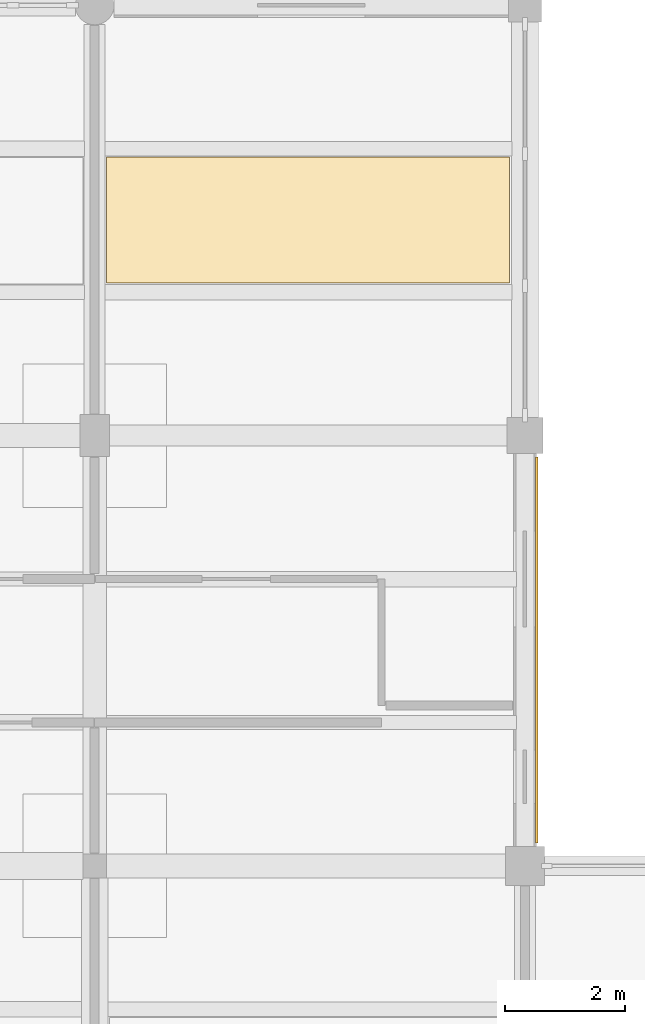
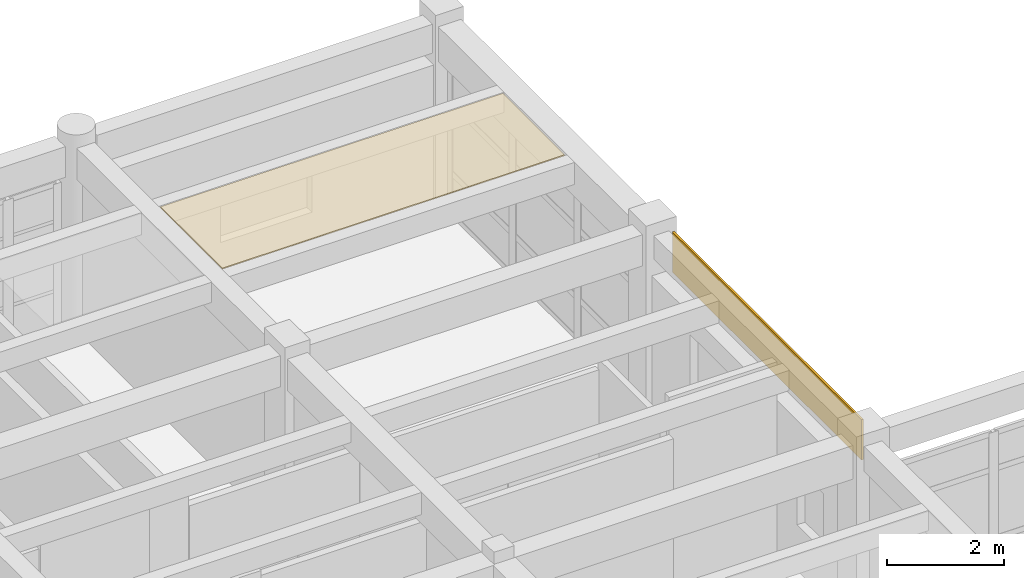
# One storey, part 100 of 100: 2 coverings.
"""IFC4 building model written with IfcOpenShell, lengths in metres."""

from ifc_helpers import new_model, si_unit, direction, frame, origin, origin_2d, place, context, subcontext, project, spatial, polyline, rectangle, outline, extrude, material, layer, layer_set, type_object, element, save


model = new_model("IFC4")

# Units and contexts
model_context = context("Model", 3, precision=1e-05, world=origin(), true_north=direction((0.0, 1.0)))
body_context = subcontext(model_context, "Body", "Model", "MODEL_VIEW")
ifc_project = project(units=[si_unit("LENGTHUNIT", "METRE"), si_unit("AREAUNIT", "SQUARE_METRE"), si_unit("VOLUMEUNIT", "CUBIC_METRE"), si_unit("PLANEANGLEUNIT", "RADIAN"), si_unit("MASSUNIT", "GRAM", prefix="KILO")], contexts=[model_context])

# Site, building, storey
site_placement = place(None, origin())
site = spatial("IfcSite", under=ifc_project, at=site_placement, CompositionType="ELEMENT")
building_placement = place(site_placement, origin())
building = spatial("IfcBuilding", under=site, at=building_placement, Name="Steenspoor Specialist Clinic", CompositionType="ELEMENT")
storey_placement = place(building_placement, frame((0.0, 0.0, 9.0)))
storey = spatial("IfcBuildingStorey", under=building, at=storey_placement, Name="L02", CompositionType="ELEMENT", Elevation=9.0)

# Coverings
ifc_material_1 = material(Name="Washable acoustic mineral ceiling board", Category="gypsum")
ifc_layer_1 = layer(ifc_material_1, 0.02490234375)
ifc_layer_set_1 = layer_set([ifc_layer_1], Name="Washable acoustic mineral ceiling board")
covering_type_1 = type_object("IfcCoveringType", Name="COV-CEIL-ACOUSTIC", PredefinedType="CEILING", material=ifc_layer_set_1)
covering_1_placement = place(storey_placement, frame((0.0, 0.0, 3.925048828125)))
element("IfcCovering", 1, at=covering_1_placement, inside=storey, type_object=covering_type_1, Name="Acoustic Clinical Ceiling 164", PredefinedType="CEILING", context=body_context, shape_type="SweptSolid", body=[
    extrude(outline(polyline([(146.5400390625, 103.699951171875), (139.794921875, 103.699951171875), (139.794921875, 105.81005859375), (146.5400390625, 105.81005859375), (146.5400390625, 103.699951171875)])), origin(), (0.0, 0.0, 1.0), 0.02490234375),
])
ifc_material_2 = material(Name="Glazed ceramic relief spandrel cladding", Category="masonry")
ifc_layer_2 = layer(ifc_material_2, 0.034912109375)
ifc_layer_set_2 = layer_set([ifc_layer_2], Name="Glazed ceramic relief spandrel cladding")
covering_type_2 = type_object("IfcCoveringType", Name="COV-CLAD-CERAMIC", PredefinedType="CLADDING", material=ifc_layer_set_2)
covering_2_placement = place(storey_placement, frame((147.0, 97.5625, 3.11474609375), z_axis=(0.0, 0.0, 1.0), x_axis=(0.0, -1.0, 0.0)))
element("IfcCovering", 2, at=covering_2_placement, inside=storey, type_object=covering_type_2, Name="Spandrel Cladding 91", PredefinedType="CLADDING", context=body_context, shape_type="SweptSolid", body=[
    extrude(rectangle(XDim=6.455078125, YDim=0.0400390625, at=origin_2d()), origin(), (0.0, 0.0, 1.0), 0.840087890625),
])

save(model, "model.ifc")
